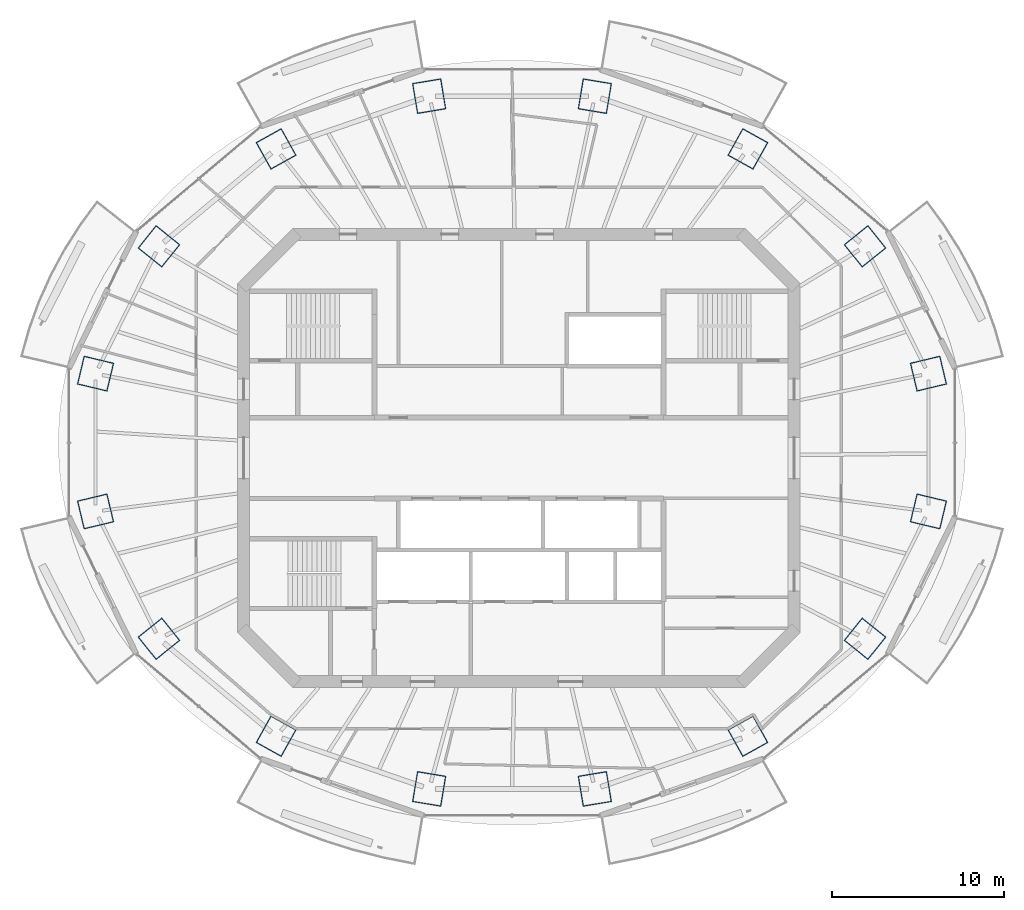
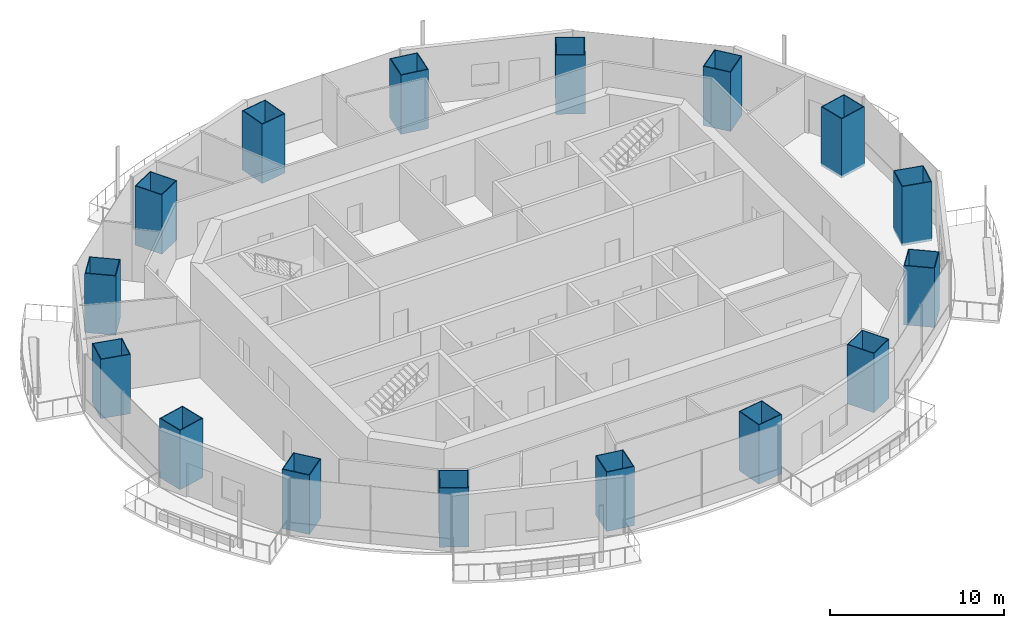
# One storey, part 1 of 16: 16 columns.
"""IFC4 building model written with IfcOpenShell, lengths in metres."""

from ifc_helpers import new_model, si_unit, direction, frame, origin, origin_2d, place, context, subcontext, project, spatial, rectangle, hollow_rectangle, extrude, material, material_profile, profile_set, type_object, element, save


model = new_model("IFC4")

# Units and contexts
model_context = context("Model", 3, precision=1e-05, world=origin(), true_north=direction((0.0, 1.0)))
body_context = subcontext(model_context, "Body", "Model", "MODEL_VIEW")
ifc_project = project(units=[si_unit("LENGTHUNIT", "METRE"), si_unit("AREAUNIT", "SQUARE_METRE"), si_unit("VOLUMEUNIT", "CUBIC_METRE"), si_unit("PLANEANGLEUNIT", "RADIAN"), si_unit("MASSUNIT", "GRAM", prefix="KILO")], contexts=[model_context])

# Site, building, storey
site_placement = place(None, origin())
site = spatial("IfcSite", under=ifc_project, at=site_placement, CompositionType="ELEMENT")
building_placement = place(site_placement, origin())
building = spatial("IfcBuilding", under=site, at=building_placement, Name="Marenthal Gate Tower", CompositionType="ELEMENT")
storey_placement = place(building_placement, frame((0.0, 0.0, 359.199951171875)))
storey = spatial("IfcBuildingStorey", under=building, at=storey_placement, Name="L81", CompositionType="ELEMENT", Elevation=359.199951171875)

# Columns
ifc_material_1 = material(Name="Steel S460", Category="steel")
ifc_material_profile_1 = material_profile(ifc_material_1, hollow_rectangle(XDim=1.699951171875, YDim=1.800048828125, WallThickness=0.050048828125, at=origin_2d()), Name="CFT BOX 1800X1700X50")
ifc_material_2 = material(Name="Concrete 70 MPa", Category="concrete")
ifc_material_profile_2 = material_profile(ifc_material_2, rectangle(XDim=1.60009765625, YDim=1.699951171875, at=origin_2d()), Name="CFT BOX 1800X1700X50 INFILL")
ifc_profile_set = profile_set([ifc_material_profile_1, ifc_material_profile_2], Name="Steel S460 shell, Concrete 70 MPa infill")
column_type = type_object("IfcColumnType", Name="CFT BOX 1800X1700X50", PredefinedType="COLUMN", material=ifc_profile_set)
for number, where, z_axis, x_axis, name in (
    (1, (23.810791015625, 4.905517578125, -0.179931640625), (0.0, 0.0, 1.0), (0.232598419702, -0.972572863673, 0.0), "COL-L81-01"),
    (2, (20.124755859375, 12.306396484375, -0.179931640625), (0.0, 0.0, 1.0), (0.626296357122, -0.779585064669, 0.0), "COL-L81-02"),
    (3, (13.314208984375, 17.970947265625, -0.179931640625), (0.0, 0.0, 1.0), (0.874089493808, -0.485764919291, 0.0), "COL-L81-03"),
    (4, (4.415771484375, 21.03662109375, -0.179931640625), (0.0, 0.0, 1.0), (0.986589544528, -0.163220925828, 0.0), "COL-L81-04"),
    (5, (-5.2158203125, 21.03662109375, -0.179931640625), (0.0, 0.0, 1.0), (0.986589544528, 0.163220925828, 0.0), "COL-L81-05"),
    (6, (-14.1142578125, 17.970947265625, -0.179931640625), (0.0, 0.0, 1.0), (0.874089493808, 0.485764919291, 0.0), "COL-L81-06"),
    (7, (-20.9248046875, 12.306396484375, -0.179931640625), (0.0, 0.0, 1.0), (0.626296357122, 0.779585064669, 0.0), "COL-L81-07"),
    (8, (-24.610595703125, 4.905517578125, -0.179931640625), (0.0, 0.0, 1.0), (0.232598419702, 0.972572863673, 0.0), "COL-L81-08"),
    (9, (-24.610595703125, -3.10546875, -0.179931640625), (0.0, 0.0, 1.0), (-0.232598419702, 0.972572863673, 0.0), "COL-L81-09"),
    (10, (-20.9248046875, -10.50634765625, -0.179931640625), (0.0, 0.0, 1.0), (-0.626296357122, 0.779585064669, 0.0), "COL-L81-10"),
    (11, (-14.1142578125, -16.1708984375, -0.179931640625), (0.0, 0.0, 1.0), (-0.874089493808, 0.485764919291, 0.0), "COL-L81-11"),
    (12, (-5.2158203125, -19.236572265625, -0.179931640625), (0.0, 0.0, 1.0), (-0.986589544528, 0.163220925828, 0.0), "COL-L81-12"),
    (13, (4.415771484375, -19.236572265625, -0.179931640625), (0.0, 0.0, 1.0), (-0.986589544528, -0.163220925828, 0.0), "COL-L81-13"),
    (14, (13.314208984375, -16.1708984375, -0.179931640625), (0.0, 0.0, 1.0), (-0.874089493808, -0.485764919291, 0.0), "COL-L81-14"),
    (15, (20.124755859375, -10.50634765625, -0.179931640625), (0.0, 0.0, 1.0), (-0.626296357122, -0.779585064669, 0.0), "COL-L81-15"),
    (16, (23.810791015625, -3.10546875, -0.179931640625), (0.0, 0.0, 1.0), (-0.232598419702, -0.972572863673, 0.0), "COL-L81-16"),
):
    element("IfcColumn", number, at=place(storey_placement, frame(where, z_axis=z_axis, x_axis=x_axis)), inside=storey, type_object=column_type, Name=name, PredefinedType="COLUMN", context=body_context, shape_type="SweptSolid", body=[
        extrude(hollow_rectangle(XDim=1.699951171875, YDim=1.800048828125, WallThickness=0.050048828125, at=origin_2d()), origin(), (0.0, 0.0, 1.0), 4.14990234375),
    ])

save(model, "model.ifc")
